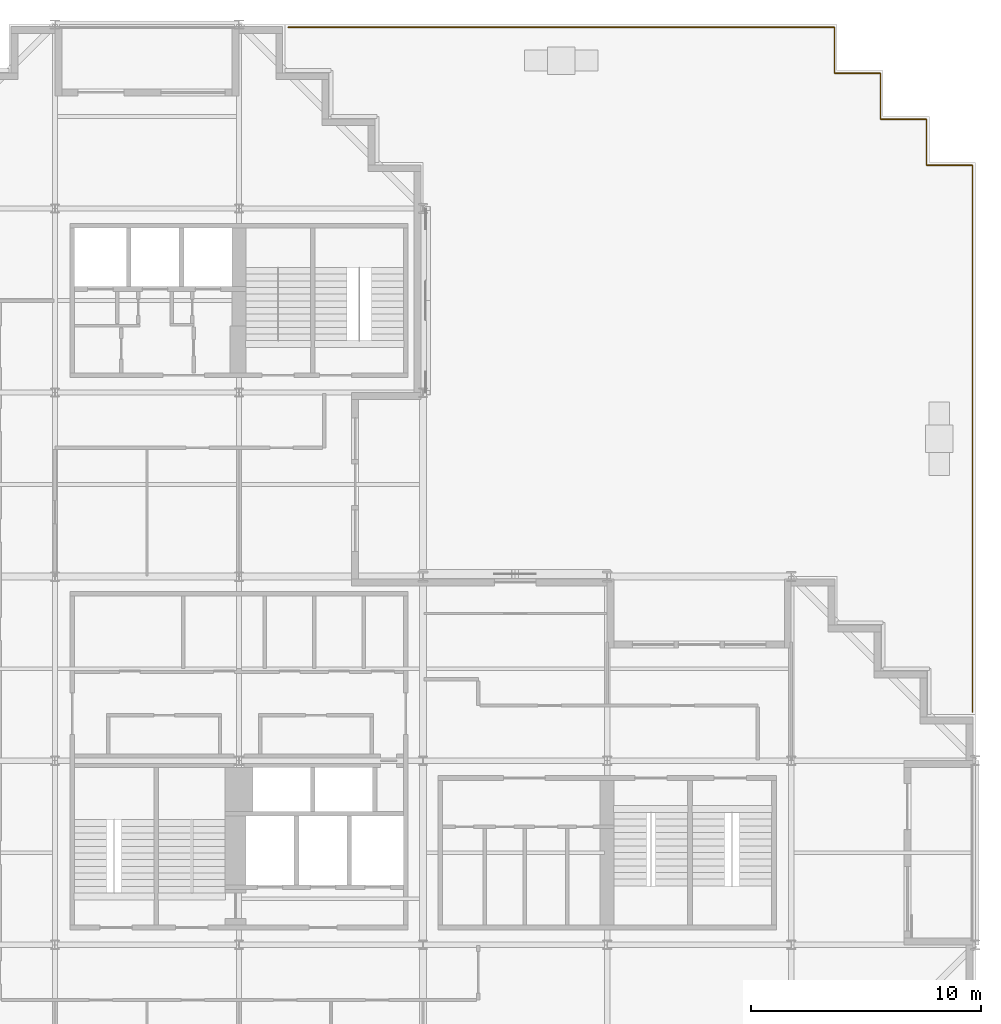
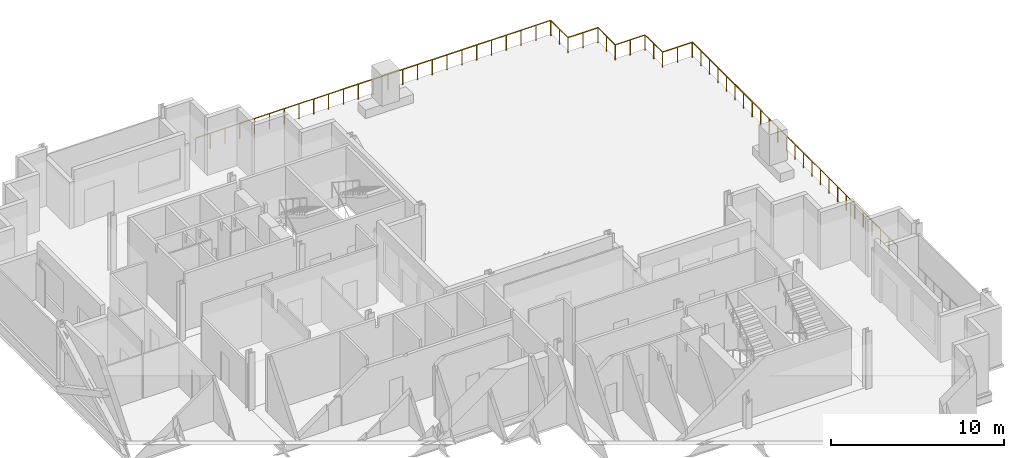
# One storey, part 11 of 12: 1 railing.
"""IFC4 building model written with IfcOpenShell, lengths in metres."""

from ifc_helpers import new_model, si_unit, direction, frame, origin, origin_2d, place, context, subcontext, project, spatial, circle, extrude, material, type_object, element, save


model = new_model("IFC4")

# Units and contexts
model_context = context("Model", 3, precision=1e-05, world=origin(), true_north=direction((0.0, 1.0)))
body_context = subcontext(model_context, "Body", "Model", "MODEL_VIEW")
ifc_project = project(units=[si_unit("LENGTHUNIT", "METRE"), si_unit("AREAUNIT", "SQUARE_METRE"), si_unit("VOLUMEUNIT", "CUBIC_METRE"), si_unit("PLANEANGLEUNIT", "RADIAN"), si_unit("MASSUNIT", "GRAM", prefix="KILO")], contexts=[model_context])

# Site, building, storey
site_placement = place(None, origin())
site = spatial("IfcSite", under=ifc_project, at=site_placement, CompositionType="ELEMENT")
building_placement = place(site_placement, origin())
building = spatial("IfcBuilding", under=site, at=building_placement, Name="Immortelle Media Tower", CompositionType="ELEMENT")
storey_placement = place(building_placement, frame((0.0, 0.0, 120.0)))
storey = spatial("IfcBuildingStorey", under=building, at=storey_placement, Name="L23", CompositionType="ELEMENT", Elevation=120.0)

# Railing
ifc_material = material(Name="Stainless steel AISI 316 fretwork rail", Category="steel")
railing_type = type_object("IfcRailingType", Name="Terrace guard 1100", PredefinedType="GUARDRAIL", material=ifc_material)
railing_placement = place(storey_placement, frame((18.1220703125, 47.8798828125, 0.0)))
element("IfcRailing", 1, at=railing_placement, inside=storey, type_object=railing_type, Name="Terrace guard L23 NE0-0", PredefinedType="GUARDRAIL", context=body_context, shape_type="SweptSolid", body=[
    extrude(circle(Radius=0.02490234375, at=origin_2d()), frame((0.0, 0.0, 1.0751953125), z_axis=(1.0, 0.0, 0.0), x_axis=(0.0, 1.0, 0.0)), (0.0, 0.0, 1.0), 23.7578125),
    extrude(circle(Radius=0.02490234375, at=origin_2d()), frame((23.7578125, 0.0, 1.0751953125), z_axis=(0.0, -1.0, 0.0), x_axis=(1.0, 0.0, 0.0)), (0.0, 0.0, 1.0), 2.0),
    extrude(circle(Radius=0.02490234375, at=origin_2d()), frame((23.7578125, -2.0, 1.0751953125), z_axis=(1.0, 0.0, 0.0), x_axis=(0.0, 1.0, 0.0)), (0.0, 0.0, 1.0), 2.0),
    extrude(circle(Radius=0.02490234375, at=origin_2d()), frame((25.7578125, -2.0, 1.0751953125), z_axis=(0.0, -1.0, 0.0), x_axis=(1.0, 0.0, 0.0)), (0.0, 0.0, 1.0), 2.0),
    extrude(circle(Radius=0.02490234375, at=origin_2d()), frame((25.7578125, -4.0, 1.0751953125), z_axis=(1.0, 0.0, 0.0), x_axis=(0.0, 1.0, 0.0)), (0.0, 0.0, 1.0), 2.0),
    extrude(circle(Radius=0.02490234375, at=origin_2d()), frame((27.7578125, -4.0, 1.0751953125), z_axis=(0.0, -1.0, 0.0), x_axis=(1.0, 0.0, 0.0)), (0.0, 0.0, 1.0), 2.0),
    extrude(circle(Radius=0.02490234375, at=origin_2d()), frame((27.7578125, -6.0, 1.0751953125), z_axis=(1.0, 0.0, 0.0), x_axis=(0.0, 1.0, 0.0)), (0.0, 0.0, 1.0), 2.0),
    extrude(circle(Radius=0.02490234375, at=origin_2d()), frame((29.7578125, -6.0, 1.0751953125), z_axis=(0.0, -1.0, 0.0), x_axis=(1.0, 0.0, 0.0)), (0.0, 0.0, 1.0), 23.7578125),
    extrude(circle(Radius=0.02001953125, at=origin_2d()), origin(), (0.0, 0.0, 1.0), 1.050048828125),
    extrude(circle(Radius=0.02001953125, at=origin_2d()), frame((0.989990234375, 0.0, 0.0)), (0.0, 0.0, 1.0), 1.050048828125),
    extrude(circle(Radius=0.02001953125, at=origin_2d()), frame((1.979736328125, 0.0, 0.0)), (0.0, 0.0, 1.0), 1.050048828125),
    extrude(circle(Radius=0.02001953125, at=origin_2d()), frame((2.9697265625, 0.0, 0.0)), (0.0, 0.0, 1.0), 1.050048828125),
    extrude(circle(Radius=0.02001953125, at=origin_2d()), frame((3.959716796875, 0.0, 0.0)), (0.0, 0.0, 1.0), 1.050048828125),
    extrude(circle(Radius=0.02001953125, at=origin_2d()), frame((4.949462890625, 0.0, 0.0)), (0.0, 0.0, 1.0), 1.050048828125),
    extrude(circle(Radius=0.02001953125, at=origin_2d()), frame((5.939453125, 0.0, 0.0)), (0.0, 0.0, 1.0), 1.050048828125),
    extrude(circle(Radius=0.02001953125, at=origin_2d()), frame((6.929443359375, 0.0, 0.0)), (0.0, 0.0, 1.0), 1.050048828125),
    extrude(circle(Radius=0.02001953125, at=origin_2d()), frame((7.919189453125, 0.0, 0.0)), (0.0, 0.0, 1.0), 1.050048828125),
    extrude(circle(Radius=0.02001953125, at=origin_2d()), frame((8.9091796875, 0.0, 0.0)), (0.0, 0.0, 1.0), 1.050048828125),
    extrude(circle(Radius=0.02001953125, at=origin_2d()), frame((9.899169921875, 0.0, 0.0)), (0.0, 0.0, 1.0), 1.050048828125),
    extrude(circle(Radius=0.02001953125, at=origin_2d()), frame((10.888916015625, 0.0, 0.0)), (0.0, 0.0, 1.0), 1.050048828125),
    extrude(circle(Radius=0.02001953125, at=origin_2d()), frame((11.87890625, 0.0, 0.0)), (0.0, 0.0, 1.0), 1.050048828125),
    extrude(circle(Radius=0.02001953125, at=origin_2d()), frame((12.868896484375, 0.0, 0.0)), (0.0, 0.0, 1.0), 1.050048828125),
    extrude(circle(Radius=0.02001953125, at=origin_2d()), frame((13.858642578125, 0.0, 0.0)), (0.0, 0.0, 1.0), 1.050048828125),
    extrude(circle(Radius=0.02001953125, at=origin_2d()), frame((14.8486328125, 0.0, 0.0)), (0.0, 0.0, 1.0), 1.050048828125),
    extrude(circle(Radius=0.02001953125, at=origin_2d()), frame((15.838623046875, 0.0, 0.0)), (0.0, 0.0, 1.0), 1.050048828125),
    extrude(circle(Radius=0.02001953125, at=origin_2d()), frame((16.828369140625, 0.0, 0.0)), (0.0, 0.0, 1.0), 1.050048828125),
    extrude(circle(Radius=0.02001953125, at=origin_2d()), frame((17.818359375, 0.0, 0.0)), (0.0, 0.0, 1.0), 1.050048828125),
    extrude(circle(Radius=0.02001953125, at=origin_2d()), frame((18.808349609375, 0.0, 0.0)), (0.0, 0.0, 1.0), 1.050048828125),
    extrude(circle(Radius=0.02001953125, at=origin_2d()), frame((19.798095703125, 0.0, 0.0)), (0.0, 0.0, 1.0), 1.050048828125),
    extrude(circle(Radius=0.02001953125, at=origin_2d()), frame((20.7880859375, 0.0, 0.0)), (0.0, 0.0, 1.0), 1.050048828125),
    extrude(circle(Radius=0.02001953125, at=origin_2d()), frame((21.778076171875, 0.0, 0.0)), (0.0, 0.0, 1.0), 1.050048828125),
    extrude(circle(Radius=0.02001953125, at=origin_2d()), frame((22.767822265625, 0.0, 0.0)), (0.0, 0.0, 1.0), 1.050048828125),
    extrude(circle(Radius=0.02001953125, at=origin_2d()), frame((23.7578125, 0.0, 0.0)), (0.0, 0.0, 1.0), 1.050048828125),
    extrude(circle(Radius=0.02001953125, at=origin_2d()), frame((23.7578125, -1.0, 0.0)), (0.0, 0.0, 1.0), 1.050048828125),
    extrude(circle(Radius=0.02001953125, at=origin_2d()), frame((23.7578125, -2.0, 0.0)), (0.0, 0.0, 1.0), 1.050048828125),
    extrude(circle(Radius=0.02001953125, at=origin_2d()), frame((24.7578125, -2.0, 0.0)), (0.0, 0.0, 1.0), 1.050048828125),
    extrude(circle(Radius=0.02001953125, at=origin_2d()), frame((25.7578125, -2.0, 0.0)), (0.0, 0.0, 1.0), 1.050048828125),
    extrude(circle(Radius=0.02001953125, at=origin_2d()), frame((25.7578125, -3.0, 0.0)), (0.0, 0.0, 1.0), 1.050048828125),
    extrude(circle(Radius=0.02001953125, at=origin_2d()), frame((25.7578125, -4.0, 0.0)), (0.0, 0.0, 1.0), 1.050048828125),
    extrude(circle(Radius=0.02001953125, at=origin_2d()), frame((26.7578125, -4.0, 0.0)), (0.0, 0.0, 1.0), 1.050048828125),
    extrude(circle(Radius=0.02001953125, at=origin_2d()), frame((27.7578125, -4.0, 0.0)), (0.0, 0.0, 1.0), 1.050048828125),
    extrude(circle(Radius=0.02001953125, at=origin_2d()), frame((27.7578125, -5.0, 0.0)), (0.0, 0.0, 1.0), 1.050048828125),
    extrude(circle(Radius=0.02001953125, at=origin_2d()), frame((27.7578125, -6.0, 0.0)), (0.0, 0.0, 1.0), 1.050048828125),
    extrude(circle(Radius=0.02001953125, at=origin_2d()), frame((28.7578125, -6.0, 0.0)), (0.0, 0.0, 1.0), 1.050048828125),
    extrude(circle(Radius=0.02001953125, at=origin_2d()), frame((29.7578125, -6.0, 0.0)), (0.0, 0.0, 1.0), 1.050048828125),
    extrude(circle(Radius=0.02001953125, at=origin_2d()), frame((29.7578125, -6.989990234375, 0.0)), (0.0, 0.0, 1.0), 1.050048828125),
    extrude(circle(Radius=0.02001953125, at=origin_2d()), frame((29.7578125, -7.979736328125, 0.0)), (0.0, 0.0, 1.0), 1.050048828125),
    extrude(circle(Radius=0.02001953125, at=origin_2d()), frame((29.7578125, -8.9697265625, 0.0)), (0.0, 0.0, 1.0), 1.050048828125),
    extrude(circle(Radius=0.02001953125, at=origin_2d()), frame((29.7578125, -9.959716796875, 0.0)), (0.0, 0.0, 1.0), 1.050048828125),
    extrude(circle(Radius=0.02001953125, at=origin_2d()), frame((29.7578125, -10.949462890625, 0.0)), (0.0, 0.0, 1.0), 1.050048828125),
    extrude(circle(Radius=0.02001953125, at=origin_2d()), frame((29.7578125, -11.939453125, 0.0)), (0.0, 0.0, 1.0), 1.050048828125),
    extrude(circle(Radius=0.02001953125, at=origin_2d()), frame((29.7578125, -12.929443359375, 0.0)), (0.0, 0.0, 1.0), 1.050048828125),
    extrude(circle(Radius=0.02001953125, at=origin_2d()), frame((29.7578125, -13.919189453125, 0.0)), (0.0, 0.0, 1.0), 1.050048828125),
    extrude(circle(Radius=0.02001953125, at=origin_2d()), frame((29.7578125, -14.9091796875, 0.0)), (0.0, 0.0, 1.0), 1.050048828125),
    extrude(circle(Radius=0.02001953125, at=origin_2d()), frame((29.7578125, -15.899169921875, 0.0)), (0.0, 0.0, 1.0), 1.050048828125),
    extrude(circle(Radius=0.02001953125, at=origin_2d()), frame((29.7578125, -16.888916015625, 0.0)), (0.0, 0.0, 1.0), 1.050048828125),
    extrude(circle(Radius=0.02001953125, at=origin_2d()), frame((29.7578125, -17.87890625, 0.0)), (0.0, 0.0, 1.0), 1.050048828125),
    extrude(circle(Radius=0.02001953125, at=origin_2d()), frame((29.7578125, -18.868896484375, 0.0)), (0.0, 0.0, 1.0), 1.050048828125),
    extrude(circle(Radius=0.02001953125, at=origin_2d()), frame((29.7578125, -19.858642578125, 0.0)), (0.0, 0.0, 1.0), 1.050048828125),
    extrude(circle(Radius=0.02001953125, at=origin_2d()), frame((29.7578125, -20.8486328125, 0.0)), (0.0, 0.0, 1.0), 1.050048828125),
    extrude(circle(Radius=0.02001953125, at=origin_2d()), frame((29.7578125, -21.838623046875, 0.0)), (0.0, 0.0, 1.0), 1.050048828125),
    extrude(circle(Radius=0.02001953125, at=origin_2d()), frame((29.7578125, -22.828369140625, 0.0)), (0.0, 0.0, 1.0), 1.050048828125),
    extrude(circle(Radius=0.02001953125, at=origin_2d()), frame((29.7578125, -23.818359375, 0.0)), (0.0, 0.0, 1.0), 1.050048828125),
    extrude(circle(Radius=0.02001953125, at=origin_2d()), frame((29.7578125, -24.808349609375, 0.0)), (0.0, 0.0, 1.0), 1.050048828125),
    extrude(circle(Radius=0.02001953125, at=origin_2d()), frame((29.7578125, -25.798095703125, 0.0)), (0.0, 0.0, 1.0), 1.050048828125),
    extrude(circle(Radius=0.02001953125, at=origin_2d()), frame((29.7578125, -26.7880859375, 0.0)), (0.0, 0.0, 1.0), 1.050048828125),
    extrude(circle(Radius=0.02001953125, at=origin_2d()), frame((29.7578125, -27.778076171875, 0.0)), (0.0, 0.0, 1.0), 1.050048828125),
    extrude(circle(Radius=0.02001953125, at=origin_2d()), frame((29.7578125, -28.767822265625, 0.0)), (0.0, 0.0, 1.0), 1.050048828125),
    extrude(circle(Radius=0.02001953125, at=origin_2d()), frame((29.7578125, -29.7578125, 0.0)), (0.0, 0.0, 1.0), 1.050048828125),
])

save(model, "model.ifc")
